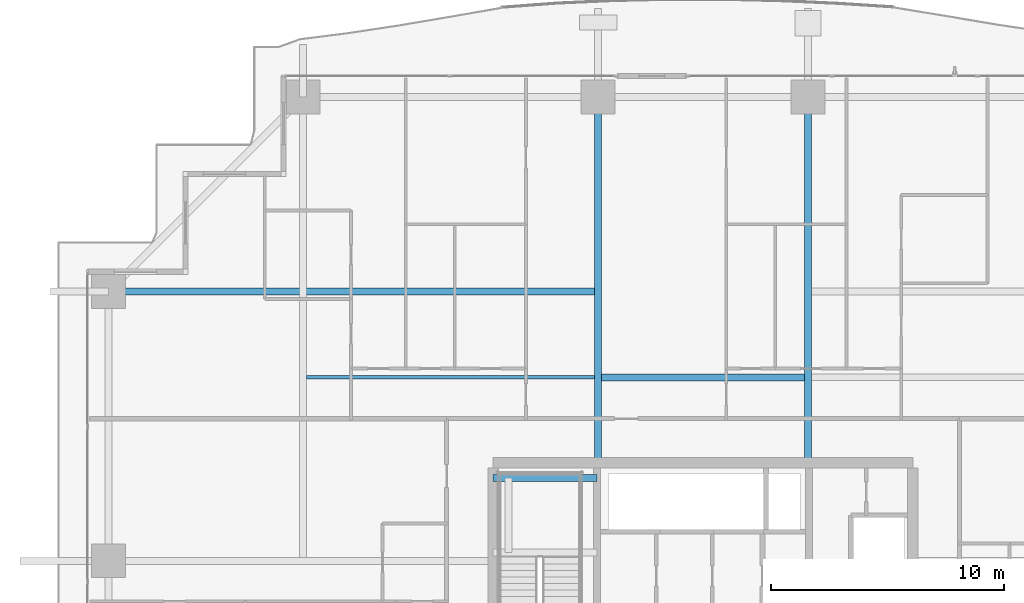
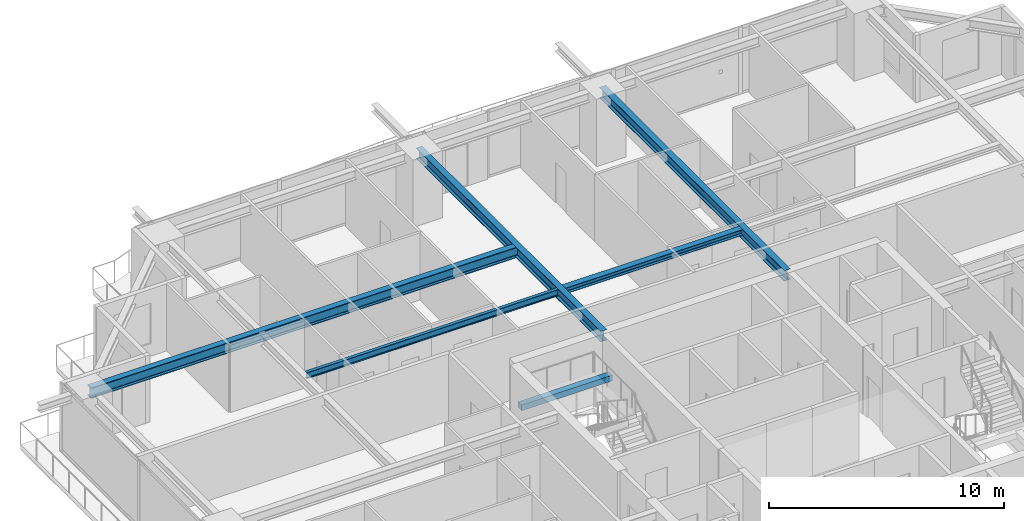
# One storey, part 19 of 39: 6 beams.
"""IFC4 building model written with IfcOpenShell, lengths in metres."""

import ifcopenshell
import ifcopenshell.guid

model = None  # the IFC model being written
_history = None  # IfcOwnerHistory: only IFC2X3 demands one
_inside = {}  # id of a spatial element -> (the spatial element, [elements in it])
_under = {}  # id of a project, library or spatial element -> (it, [spatial elements below it])
_declared = {}  # id of a project -> (the project, [libraries it declares])
_typed = {}  # id of a type object -> (the type object, [elements of that type])
_made_of = {}  # id of a material, layer set ... -> (it, [elements and type objects made of it])


def new_model(schema):
    """Start an empty IFC model of exactly this schema.

    Asked for "IFC4X3", IfcOpenShell would pick the latest addendum, in which some entities
    have other attributes; the version numbers below select the first issue.
    IFC2X3 requires an IfcOwnerHistory on every rooted entity: one is made here for all.
    """
    global model, _history
    if schema == "IFC4X3":
        model = ifcopenshell.file(schema_version=(4, 3, 0, 0))
    else:
        model = ifcopenshell.file(schema=schema)
    _inside.clear()
    _under.clear()
    _declared.clear()
    _typed.clear()
    _made_of.clear()
    _history = None
    if model.schema == "IFC2X3":
        org = make("IfcOrganization", Name="unknown")
        user = make(
            "IfcPersonAndOrganization",
            ThePerson=make("IfcPerson", FamilyName="unknown"),
            TheOrganization=org,
        )
        app = make(
            "IfcApplication",
            ApplicationDeveloper=org,
            Version="unknown",
            ApplicationFullName="unknown",
            ApplicationIdentifier="unknown",
        )
        _history = make(
            "IfcOwnerHistory",
            OwningUser=user,
            OwningApplication=app,
            ChangeAction="ADDED",
            CreationDate=0,
        )
    return model


def make(cls, **values):
    """One entity of the class cls with the attributes given. An attribute that is None is left unset."""
    return model.create_entity(
        cls, **{name: value for name, value in values.items() if value is not None}
    )


def rooted(cls, **values):
    """An entity with a GlobalId (a new one), such as an element, a storey or a relation."""
    return make(cls, GlobalId=ifcopenshell.guid.new(), OwnerHistory=_history, **values)


def si_unit(unit_type, name, prefix=None):
    """IfcSIUnit, for example si_unit("LENGTHUNIT", "METRE", prefix="MILLI")."""
    return make("IfcSIUnit", UnitType=unit_type, Prefix=prefix, Name=name)


def assignment(units):
    """IfcUnitAssignment: the units of a project."""
    return None if units is None else make("IfcUnitAssignment", Units=units)


def point(xyz):
    """IfcCartesianPoint."""
    return None if xyz is None else make("IfcCartesianPoint", Coordinates=xyz)


def direction(xyz):
    """IfcDirection."""
    return None if xyz is None else make("IfcDirection", DirectionRatios=xyz)


def frame(location, z_axis=None, x_axis=None):
    """IfcAxis2Placement3D, a coordinate frame: its origin and axes. An axis left out is left unset."""
    return make(
        "IfcAxis2Placement3D",
        Location=point(location),
        Axis=direction(z_axis),
        RefDirection=direction(x_axis),
    )


def frame_2d(location, x_axis=None):
    """IfcAxis2Placement2D, a coordinate frame in the plane: its origin and x axis."""
    return make(
        "IfcAxis2Placement2D", Location=point(location), RefDirection=direction(x_axis)
    )


def origin():
    """The frame at (0, 0, 0) with its axes left unset."""
    return frame((0.0, 0.0, 0.0))


def origin_2d():
    """The frame at (0, 0) in the plane with its x axis left unset."""
    return frame_2d((0.0, 0.0))


def place(relative_to, where):
    """IfcLocalPlacement: puts the frame where relative to a parent placement (None: the world)."""
    return make(
        "IfcLocalPlacement", PlacementRelTo=relative_to, RelativePlacement=where
    )


def context(
    kind, dimensions, precision=None, world=None, true_north=None, identifier=None
):
    """IfcGeometricRepresentationContext, for example the 3D "Model" context."""
    return make(
        "IfcGeometricRepresentationContext",
        ContextIdentifier=identifier,
        ContextType=kind,
        CoordinateSpaceDimension=dimensions,
        Precision=precision,
        WorldCoordinateSystem=world,
        TrueNorth=true_north,
    )


def subcontext(parent, identifier, kind, view, scale=None):
    """IfcGeometricRepresentationSubContext, for example "Body" below "Model"."""
    return make(
        "IfcGeometricRepresentationSubContext",
        ContextIdentifier=identifier,
        ContextType=kind,
        ParentContext=parent,
        TargetScale=scale,
        TargetView=view,
    )


def project(units=None, contexts=None):
    """IfcProject with its units and contexts."""
    return rooted(
        "IfcProject",
        Name="project",
        RepresentationContexts=contexts,
        UnitsInContext=assignment(units),
    )


def spatial(cls, under=None, at=None, **own):
    """A site, building, storey or space (cls), placed at a placement, below another one or the project."""
    s = rooted(cls, ObjectPlacement=at, **own)
    if under is not None:
        _under.setdefault(under.id(), (under, []))[1].append(s)
    return s


def profile(cls, at=None, kind="AREA", **sizes):
    """A parametric profile (cls). Its sizes go by their IFC names, for example OverallWidth=200.0."""
    return make(cls, ProfileType=kind, Position=at, **sizes)


def rectangle(**sizes):
    """IfcRectangleProfileDef."""
    return profile("IfcRectangleProfileDef", **sizes)


def i_section(**sizes):
    """IfcIShapeProfileDef."""
    return profile("IfcIShapeProfileDef", **sizes)


def extrude(swept, where, along, depth):
    """IfcExtrudedAreaSolid: the profile swept, set in the frame where, extruded along a direction by depth."""
    return make(
        "IfcExtrudedAreaSolid",
        SweptArea=swept,
        Position=where,
        ExtrudedDirection=direction(along),
        Depth=depth,
    )


def shape(context_of_items, identifier, shape_type, items):
    """IfcShapeRepresentation: the items that make up one representation, for example the "Body"."""
    return make(
        "IfcShapeRepresentation",
        ContextOfItems=context_of_items,
        RepresentationIdentifier=identifier,
        RepresentationType=shape_type,
        Items=items,
    )


def source(mapping_origin, context_of_items, identifier, shape_type, items):
    """IfcRepresentationMap: a shape defined once, which mapped items show again and again."""
    return make(
        "IfcRepresentationMap",
        MappingOrigin=mapping_origin,
        MappedRepresentation=shape(context_of_items, identifier, shape_type, items),
    )


def transform(
    local_origin,
    x_axis=None,
    y_axis=None,
    z_axis=None,
    scale=None,
    scale2=None,
    scale3=None,
    uniform=True,
):
    """IfcCartesianTransformationOperator3D, or its non-uniform kind. x_axis, y_axis, z_axis: its Axis1, 2, 3."""
    if uniform:
        return make(
            "IfcCartesianTransformationOperator3D",
            Axis1=direction(x_axis),
            Axis2=direction(y_axis),
            LocalOrigin=point(local_origin),
            Scale=scale,
            Axis3=direction(z_axis),
        )
    return make(
        "IfcCartesianTransformationOperator3DnonUniform",
        Axis1=direction(x_axis),
        Axis2=direction(y_axis),
        LocalOrigin=point(local_origin),
        Scale=scale,
        Axis3=direction(z_axis),
        Scale2=scale2,
        Scale3=scale3,
    )


def mapped(mapping_source, mapping_target):
    """IfcMappedItem: shows the shape of a source again, moved by a transform."""
    return make(
        "IfcMappedItem", MappingSource=mapping_source, MappingTarget=mapping_target
    )


def material(Name=None, Category=None):
    """IfcMaterial."""
    return make("IfcMaterial", Name=Name, Category=Category)


def material_profile(
    of_material, cross_section, Name=None, Category=None, Priority=None
):
    """IfcMaterialProfile: a cross section and its material."""
    return make(
        "IfcMaterialProfile",
        Name=Name,
        Material=of_material,
        Profile=cross_section,
        Priority=Priority,
        Category=Category,
    )


def profile_set(profiles, Name=None, composite=None):
    """IfcMaterialProfileSet."""
    return make(
        "IfcMaterialProfileSet",
        Name=Name,
        MaterialProfiles=profiles,
        CompositeProfile=composite,
    )


def made_of(thing, what):
    """Note that an element or type object is made of a material, layer set ...; save() writes the relation."""
    if what is not None:
        _made_of.setdefault(what.id(), (what, []))[1].append(thing)
    return thing


def type_object(cls, material=None, **own):
    """A type object (cls), such as IfcWallType, which elements share."""
    return made_of(rooted(cls, **own), material)


def element(
    cls,
    number,
    at=None,
    inside=None,
    cuts=None,
    type_object=None,
    material=None,
    context=None,
    identifier="Body",
    shape_type=None,
    held_by="IfcProductDefinitionShape",
    body=None,
    shapes=None,
    **own,
):
    """One element of the class cls, such as IfcWall. Its Tag is "e" and its number.

    at: its placement. inside: the storey or other place that contains it. cuts: it is an
    opening in that element (IfcRelVoidsElement). A single representation is given by context,
    identifier, shape_type and body (its items); several are given by shapes. held_by: the class
    of the entity that holds the representations. save() writes the other relations.
    """
    e = rooted(cls, Tag="e%d" % number, ObjectPlacement=at, **own)
    if body is not None:
        shapes = [shape(context, identifier, shape_type, body)]
    if shapes is not None:
        e.Representation = make(held_by, Representations=shapes)
    if inside is not None:
        _inside.setdefault(inside.id(), (inside, []))[1].append(e)
    if cuts is not None:
        rooted(
            "IfcRelVoidsElement", RelatingBuildingElement=cuts, RelatedOpeningElement=e
        )
    if type_object is not None:
        _typed.setdefault(type_object.id(), (type_object, []))[1].append(e)
    return made_of(e, material)


def aggregate(whole, parts):
    """IfcRelAggregates: a whole, such as a stair, and the parts it consists of."""
    return rooted("IfcRelAggregates", RelatingObject=whole, RelatedObjects=parts)


def save(model, path):
    """Write the relations noted so far, then the file.

    IfcRelAggregates (storeys below a building ...), IfcRelContainedInSpatialStructure (elements
    in a storey), IfcRelDefinesByType, IfcRelAssociatesMaterial and IfcRelDeclares: one each for
    every whole, place, type object, material and project.
    """
    for whole, parts in _under.values():
        aggregate(whole, parts)
    for where, things in _inside.values():
        rooted(
            "IfcRelContainedInSpatialStructure",
            RelatedElements=things,
            RelatingStructure=where,
        )
    for kind, things in _typed.values():
        rooted("IfcRelDefinesByType", RelatedObjects=things, RelatingType=kind)
    for what, things in _made_of.values():
        rooted("IfcRelAssociatesMaterial", RelatedObjects=things, RelatingMaterial=what)
    for by, libraries in _declared.values():
        rooted("IfcRelDeclares", RelatingContext=by, RelatedDefinitions=libraries)
    model.write(path)


model = new_model("IFC4")

# Units and contexts
model_context = context("Model", 3, precision=1e-05, world=origin(), true_north=direction((0.0, 1.0)))
body_context = subcontext(model_context, "Body", "Model", "MODEL_VIEW")
ifc_project = project(units=[si_unit("LENGTHUNIT", "METRE"), si_unit("AREAUNIT", "SQUARE_METRE"), si_unit("VOLUMEUNIT", "CUBIC_METRE"), si_unit("PLANEANGLEUNIT", "RADIAN"), si_unit("MASSUNIT", "GRAM", prefix="KILO")], contexts=[model_context])

# Site, building, storey
site_placement = place(None, origin())
site = spatial("IfcSite", under=ifc_project, at=site_placement, CompositionType="ELEMENT")
building_placement = place(site_placement, origin())
building = spatial("IfcBuilding", under=site, at=building_placement, Name="Serunith Strait Residences", CompositionType="ELEMENT")
storey_placement = place(building_placement, frame((0.0, 0.0, 97.949951171875)))
storey = spatial("IfcBuildingStorey", under=building, at=storey_placement, Name="L24", CompositionType="ELEMENT", Elevation=97.949951171875)

# Beams
ifc_material_1 = material(Name="Steel S355J2", Category="steel")
ifc_material_profile_1 = material_profile(ifc_material_1, i_section(OverallWidth=0.300048828125, OverallDepth=0.550048828125, WebThickness=0.014892578125, FlangeThickness=0.029052734375, FilletRadius=0.027099609375, at=origin_2d()), Name="HEB 550")
ifc_profile_set_1 = profile_set([ifc_material_profile_1], Name="Steel S355J2")
beam_type_1 = type_object("IfcBeamType", Name="BM-HEB550", PredefinedType="BEAM", material=ifc_profile_set_1)
shared_shape_1 = source(origin(), body_context, "Body", "SweptSolid", [
    extrude(i_section(OverallWidth=0.300048828125, OverallDepth=0.550048828125, WebThickness=0.014892578125, FlangeThickness=0.029052734375, FilletRadius=0.027099609375, at=origin_2d()), origin(), (0.0, 0.0, 1.0), 15.699951171875),
])
for number, where, z_axis, x_axis, name in (
    (1, (27.89990234375, 33.60009765625, 3.212158203125), (0.0, 1.0, 0.0), (-1.0, 0.0, 0.0), "L24 Primary Floor Girder TC-N2"),
    (2, (36.89990234375, 33.60009765625, 3.212158203125), (0.0, 1.0, 0.0), (-1.0, 0.0, 0.0), "L24 Primary Floor Girder TC-N3"),
):
    element("IfcBeam", number, at=place(storey_placement, frame(where, z_axis=z_axis, x_axis=x_axis)), inside=storey, type_object=beam_type_1, Name=name, PredefinedType="BEAM", context=body_context, shape_type="MappedRepresentation", body=[
        mapped(shared_shape_1, transform((0.0, 0.0, 0.0), scale=1.0)),
    ])
shared_shape_2 = source(origin(), body_context, "Body", "SweptSolid", [
    extrude(i_section(OverallWidth=0.300048828125, OverallDepth=0.550048828125, WebThickness=0.014892578125, FlangeThickness=0.029052734375, FilletRadius=0.027099609375, at=origin_2d()), origin(), (0.0, 0.0, 1.0), 21.0),
])
beam_1_placement = place(storey_placement, frame((27.89990234375, 40.949951171875, 3.212158203125), z_axis=(-1.0, 0.0, 0.0), x_axis=(0.0, -1.0, 0.0)))
element("IfcBeam", 3, at=beam_1_placement, inside=storey, type_object=beam_type_1, Name="L24 Orthogonal Corner Girder TC-W4", PredefinedType="BEAM", context=body_context, shape_type="MappedRepresentation", body=[
    mapped(shared_shape_2, transform((0.0, 0.0, 0.0), scale=1.0)),
])
ifc_material_profile_2 = material_profile(ifc_material_1, i_section(OverallWidth=0.159912109375, OverallDepth=0.330078125, WebThickness=0.007568359375, FlangeThickness=0.011474609375, FilletRadius=0.01806640625, at=origin_2d()), Name="IPE 330")
ifc_profile_set_2 = profile_set([ifc_material_profile_2], Name="Steel S355J2")
beam_type_2 = type_object("IfcBeamType", Name="BM-IPE330", PredefinedType="JOIST", material=ifc_profile_set_2)
shared_shape_3 = source(origin(), body_context, "Body", "SweptSolid", [
    extrude(i_section(OverallWidth=0.159912109375, OverallDepth=0.330078125, WebThickness=0.007568359375, FlangeThickness=0.011474609375, FilletRadius=0.01806640625, at=origin_2d()), origin(), (0.0, 0.0, 1.0), 12.35009765625),
])
beam_2_placement = place(storey_placement, frame((15.39990234375, 37.27490234375, 3.322021484375), z_axis=(1.0, 0.0, 0.0), x_axis=(0.0, 1.0, 0.0)))
element("IfcBeam", 4, at=beam_2_placement, inside=storey, type_object=beam_type_2, Name="L24 Composite Floor Joist 04", PredefinedType="JOIST", context=body_context, shape_type="MappedRepresentation", body=[
    mapped(shared_shape_3, transform((0.0, 0.0, 0.0), scale=1.0)),
])
ifc_material_profile_3 = material_profile(ifc_material_1, i_section(OverallWidth=0.300048828125, OverallDepth=0.300048828125, WebThickness=0.010986328125, FlangeThickness=0.01904296875, FilletRadius=0.027099609375, at=origin_2d()), Name="HEB 300")
ifc_profile_set_3 = profile_set([ifc_material_profile_3], Name="Steel S355J2")
beam_type_3 = type_object("IfcBeamType", Name="BM-HEB300", PredefinedType="JOIST", material=ifc_profile_set_3)
shared_shape_4 = source(origin(), body_context, "Body", "SweptSolid", [
    extrude(i_section(OverallWidth=0.300048828125, OverallDepth=0.300048828125, WebThickness=0.010986328125, FlangeThickness=0.01904296875, FilletRadius=0.027099609375, at=origin_2d()), origin(), (0.0, 0.0, 1.0), 8.699951171875),
])
beam_3_placement = place(storey_placement, frame((28.050048828125, 37.27490234375, 3.337158203125), z_axis=(1.0, 0.0, 0.0), x_axis=(0.0, 1.0, 0.0)))
element("IfcBeam", 5, at=beam_3_placement, inside=storey, type_object=beam_type_3, Name="L24 Composite Floor Joist 05", PredefinedType="JOIST", context=body_context, shape_type="MappedRepresentation", body=[
    mapped(shared_shape_4, transform((0.0, 0.0, 0.0), scale=1.0)),
])
ifc_material_2 = material(Name="Concrete C60/75", Category="concrete")
ifc_material_profile_4 = material_profile(ifc_material_2, rectangle(XDim=0.300048828125, YDim=0.300048828125, at=origin_2d()), Name="RC 300x300")
ifc_profile_set_4 = profile_set([ifc_material_profile_4], Name="Concrete C60/75")
beam_type_4 = type_object("IfcBeamType", Name="BM-LAND-300x300", PredefinedType="BEAM", material=ifc_profile_set_4)
shared_shape_5 = source(origin(), body_context, "Body", "SweptSolid", [
    extrude(rectangle(XDim=0.300048828125, YDim=0.300048828125, at=origin_2d()), origin(), (0.0, 0.0, 1.0), 4.4501953125),
])
beam_4_placement = place(storey_placement, frame((23.39990234375, 32.949951171875, 1.525146484375), z_axis=(1.0, 0.0, 0.0), x_axis=(0.0, 1.0, 0.0)))
element("IfcBeam", 6, at=beam_4_placement, inside=storey, type_object=beam_type_4, Name="L24 ST-1 Landing Support Beam 2", PredefinedType="BEAM", context=body_context, shape_type="MappedRepresentation", body=[
    mapped(shared_shape_5, transform((0.0, 0.0, 0.0), scale=1.0)),
])

save(model, "model.ifc")
